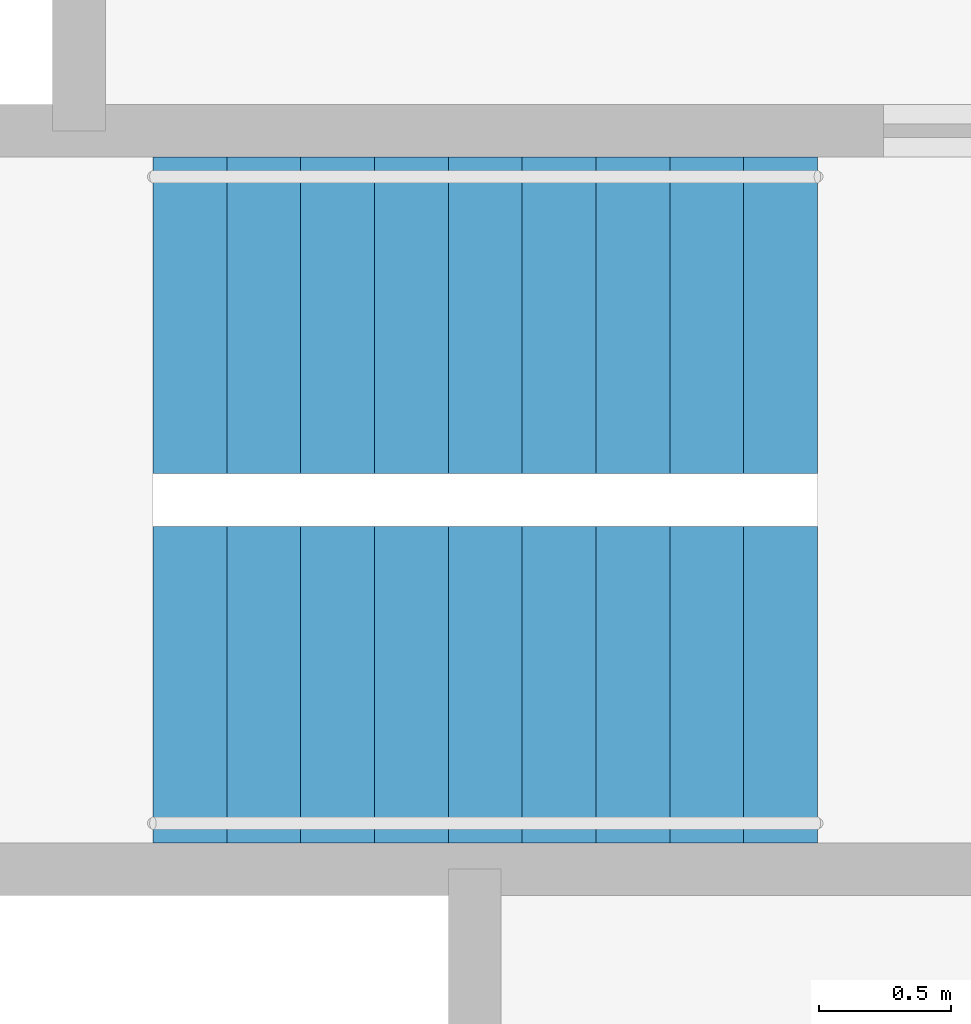
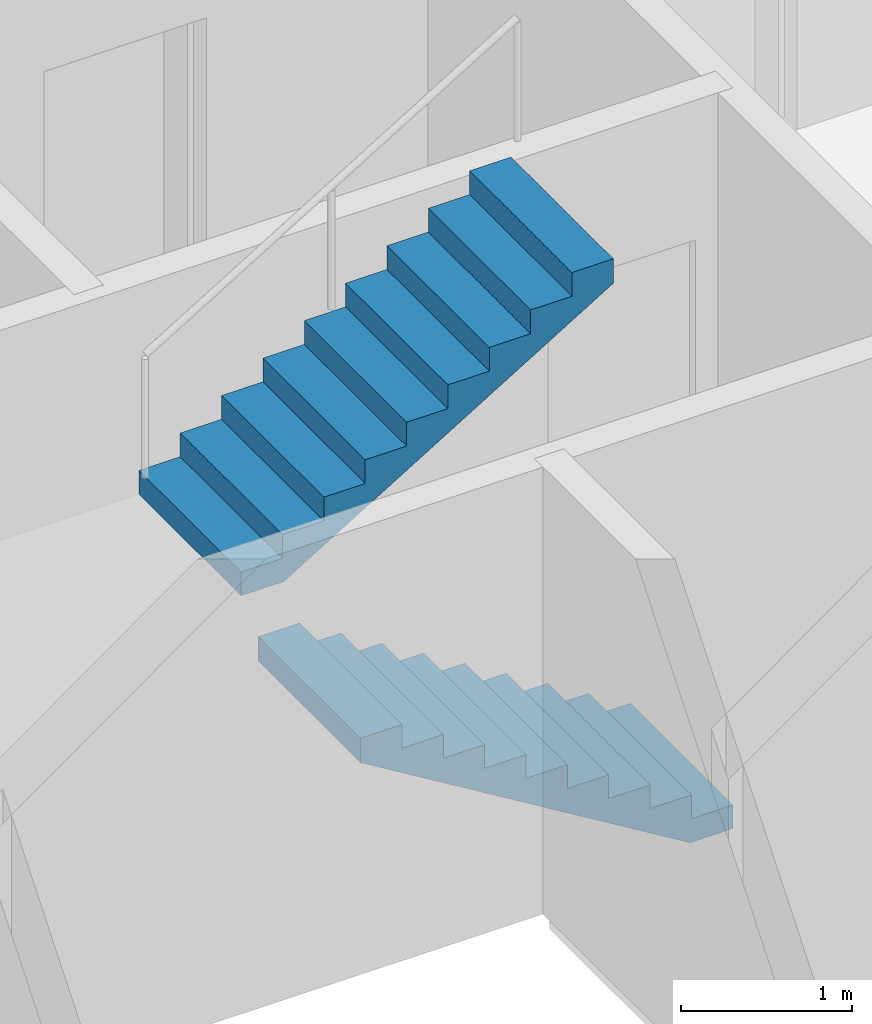
# One storey, part 15 of 18: 2 stair flights, 1 element without a shape of its own.
"""IFC4 building model written with IfcOpenShell, lengths in metres."""

from ifc_helpers import new_model, si_unit, direction, frame, origin, place, context, subcontext, project, spatial, polyline, outline, extrude, material, type_object, element, aggregate, save


model = new_model("IFC4")

# Units and contexts
model_context = context("Model", 3, precision=1e-05, world=origin(), true_north=direction((0.0, 1.0)))
body_context = subcontext(model_context, "Body", "Model", "MODEL_VIEW")
ifc_project = project(units=[si_unit("LENGTHUNIT", "METRE"), si_unit("AREAUNIT", "SQUARE_METRE"), si_unit("VOLUMEUNIT", "CUBIC_METRE"), si_unit("PLANEANGLEUNIT", "RADIAN"), si_unit("MASSUNIT", "GRAM", prefix="KILO")], contexts=[model_context])

# Site, building, storey
site_placement = place(None, origin())
site = spatial("IfcSite", under=ifc_project, at=site_placement, CompositionType="ELEMENT")
building_placement = place(site_placement, origin())
building = spatial("IfcBuilding", under=site, at=building_placement, Name="Fenwick Lantern Interchange", CompositionType="ELEMENT")
storey_placement = place(building_placement, frame((0.0, 0.0, 266.199951171875)))
storey = spatial("IfcBuildingStorey", under=building, at=storey_placement, Name="L63", CompositionType="ELEMENT", Elevation=266.199951171875)

# Stair, stair flights
ifc_material = material(Name="Precast concrete f'c 35 MPa", Category="concrete")
stair_type = type_object("IfcStairType", Name="EXIT STAIR 1200", PredefinedType="HALF_TURN_STAIR", material=ifc_material)
stair_placement = place(storey_placement, origin())
stair = element("IfcStair", 1, at=stair_placement, inside=storey, type_object=stair_type, Name="Exit stair ST2", PredefinedType="HALF_TURN_STAIR")
stair_flight_type = type_object("IfcStairFlightType", Name="STAIR FLIGHT 1200", PredefinedType="STRAIGHT", material=ifc_material)
stair_flight_1_placement = place(storey_placement, frame((28.199951171875, 30.699951171875, 0.0), z_axis=(0.0, 0.0, 1.0), x_axis=(-1.0, 0.0, 0.0)))
stair_flight_1 = element("IfcStairFlight", 2, at=stair_flight_1_placement, type_object=stair_flight_type, Name="ST2 flight 1", NumberOfRisers=10, NumberOfTreads=9, PredefinedType="STRAIGHT", RiserHeight=0.17, TreadLength=0.28, context=body_context, shape_type="SweptSolid", body=[
    extrude(outline(polyline([(0.0, 0.0), (0.0, 0.169921875), (0.280029296875, 0.169921875), (0.280029296875, 0.340087890625), (0.56005859375, 0.340087890625), (0.56005859375, 0.510009765625), (0.840087890625, 0.510009765625), (0.840087890625, 0.679931640625), (1.1201171875, 0.679931640625), (1.1201171875, 0.85009765625), (1.39990234375, 0.85009765625), (1.39990234375, 1.02001953125), (1.679931640625, 1.02001953125), (1.679931640625, 1.18994140625), (1.9599609375, 1.18994140625), (1.9599609375, 1.360107421875), (2.239990234375, 1.360107421875), (2.239990234375, 1.530029296875), (2.52001953125, 1.530029296875), (2.52001953125, 1.699951171875), (2.52001953125, 1.354736328125), (0.288818359375, 0.0), (0.0, 0.0)])), frame((0.0, 0.60009765625, 0.0), z_axis=(0.0, -1.0, 0.0), x_axis=(1.0, 0.0, 0.0)), (0.0, 0.0, 1.0), 1.199951171875),
])
stair_flight_2_placement = place(storey_placement, frame((25.679931640625, 32.10009765625, 1.699951171875), z_axis=(0.0, 0.0, 1.0), x_axis=(1.0, 0.0, 0.0)))
stair_flight_2 = element("IfcStairFlight", 3, at=stair_flight_2_placement, type_object=stair_flight_type, Name="ST2 flight 2", NumberOfRisers=10, NumberOfTreads=9, PredefinedType="STRAIGHT", RiserHeight=0.17, TreadLength=0.28, context=body_context, shape_type="SweptSolid", body=[
    extrude(outline(polyline([(0.0, 0.0), (0.0, 0.169921875), (0.280029296875, 0.169921875), (0.280029296875, 0.340087890625), (0.56005859375, 0.340087890625), (0.56005859375, 0.510009765625), (0.840087890625, 0.510009765625), (0.840087890625, 0.679931640625), (1.1201171875, 0.679931640625), (1.1201171875, 0.85009765625), (1.39990234375, 0.85009765625), (1.39990234375, 1.02001953125), (1.679931640625, 1.02001953125), (1.679931640625, 1.18994140625), (1.9599609375, 1.18994140625), (1.9599609375, 1.360107421875), (2.239990234375, 1.360107421875), (2.239990234375, 1.530029296875), (2.52001953125, 1.530029296875), (2.52001953125, 1.699951171875), (2.52001953125, 1.354736328125), (0.288818359375, 0.0), (0.0, 0.0)])), frame((0.0, 0.60009765625, 0.0), z_axis=(0.0, -1.0, 0.0), x_axis=(1.0, 0.0, 0.0)), (0.0, 0.0, 1.0), 1.199951171875),
])
aggregate(stair, [stair_flight_1, stair_flight_2])

save(model, "model.ifc")
